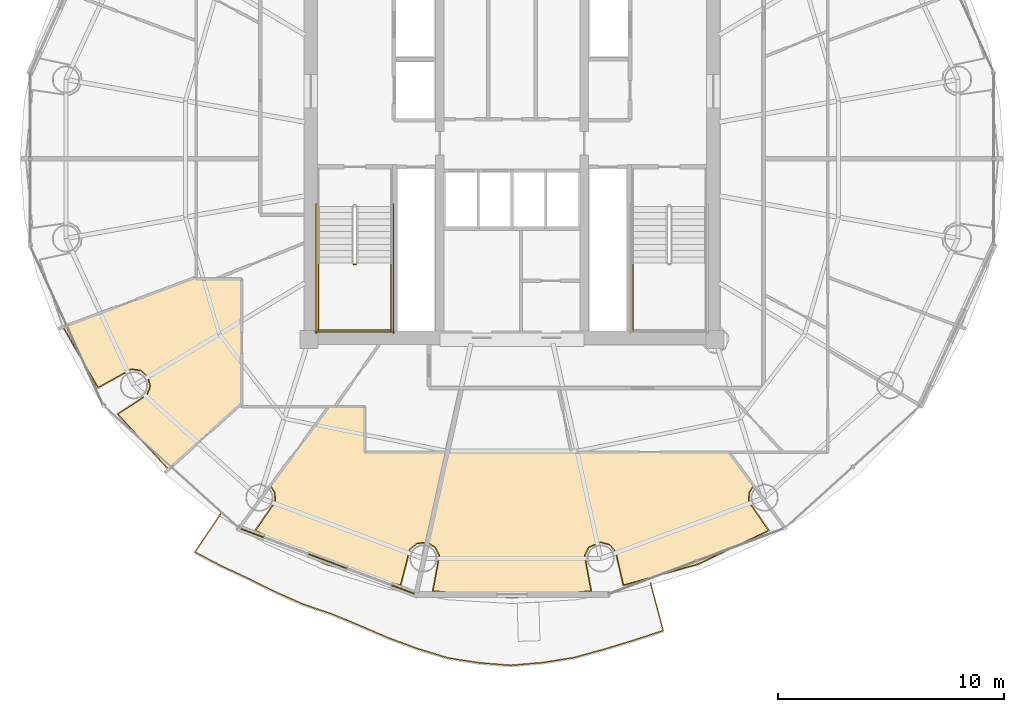
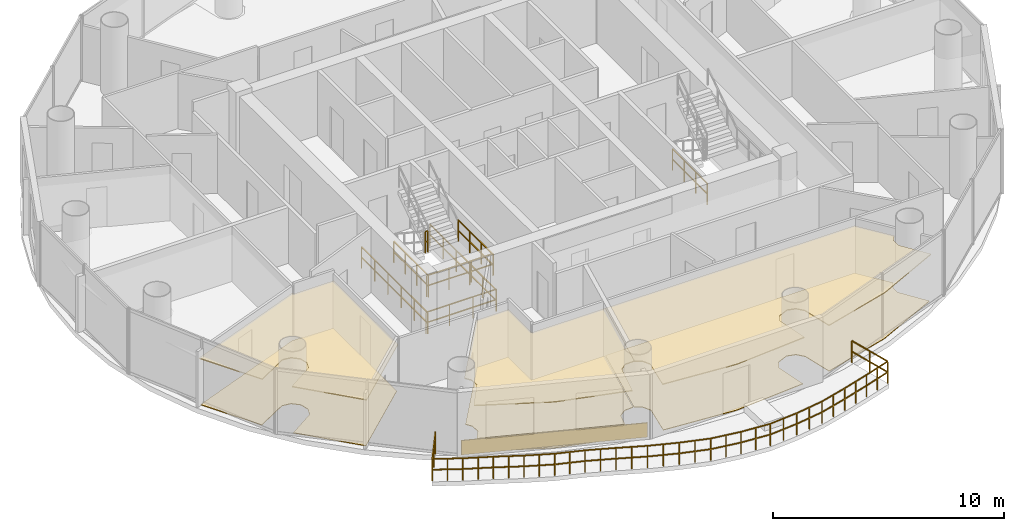
# One storey, part 24 of 26: 9 railings, 7 coverings.
"""IFC4 building model written with IfcOpenShell, lengths in metres."""

from ifc_helpers import new_model, si_unit, direction, frame, origin, origin_2d, place, context, subcontext, project, spatial, polyline, rectangle, outline, extrude, source, transform, mapped, material, layer, layer_set, type_object, element, save


model = new_model("IFC4")

# Units and contexts
model_context = context("Model", 3, precision=1e-05, world=origin(), true_north=direction((-0.2419218956, 0.970295726276)))
body_context = subcontext(model_context, "Body", "Model", "MODEL_VIEW")
ifc_project = project(units=[si_unit("LENGTHUNIT", "METRE"), si_unit("AREAUNIT", "SQUARE_METRE"), si_unit("VOLUMEUNIT", "CUBIC_METRE"), si_unit("PLANEANGLEUNIT", "RADIAN"), si_unit("MASSUNIT", "GRAM", prefix="KILO")], contexts=[model_context])

# Site, building, storey
site_placement = place(None, origin())
site = spatial("IfcSite", under=ifc_project, at=site_placement, CompositionType="ELEMENT")
building_placement = place(site_placement, origin())
building = spatial("IfcBuilding", under=site, at=building_placement, Name="Cobrevalo Terracotta Tower", CompositionType="ELEMENT")
storey_placement = place(building_placement, frame((0.0, 0.0, 220.800048828125)))
storey = spatial("IfcBuildingStorey", under=building, at=storey_placement, Name="L58", CompositionType="ELEMENT", Elevation=220.800048828125)

# Railing
ifc_material_1 = material(Name="Laminated structural glass and stainless steel", Category="steel")
railing_type_1 = type_object("IfcRailingType", Name="Balcony lobe structural glass & terracotta-cap balustrade 1180 mm", PredefinedType="BALUSTRADE", material=ifc_material_1)
railing_1_placement = place(storey_placement, frame((25.080078125, 11.063232421875, 0.0)))
element("IfcRailing", 1, at=railing_1_placement, inside=storey, type_object=railing_type_1, Name="L58 spiralling balcony lobe balustrade 2", PredefinedType="BALUSTRADE", context=body_context, shape_type="SweptSolid", body=[
    extrude(rectangle(XDim=0.048095703125, YDim=0.048095703125, at=origin_2d()), frame((0.0, 0.0, 1.15576171875), z_axis=(-0.557143606255, -0.830416161939, 0.0), x_axis=(0.830416161939, -0.557143606255, 0.0)), (0.0, 0.0, 1.0), 2.027099609375),
    extrude(rectangle(XDim=0.048095703125, YDim=0.048095703125, at=origin_2d()), frame((0.0, 0.0, 0.58984375), z_axis=(-0.557143606255, -0.830416161939, 0.0), x_axis=(0.830416161939, -0.557143606255, 0.0)), (0.0, 0.0, 1.0), 2.027099609375),
    extrude(rectangle(XDim=0.048095703125, YDim=0.048095703125, at=origin_2d()), frame((-1.12939453125, -1.683349609375, 1.15576171875), z_axis=(0.885271597073, -0.465074402021, 0.0), x_axis=(0.465074402021, 0.885271597073, 0.0)), (0.0, 0.0, 1.0), 1.332763671875),
    extrude(rectangle(XDim=0.048095703125, YDim=0.048095703125, at=origin_2d()), frame((-1.12939453125, -1.683349609375, 0.58984375), z_axis=(0.885271597073, -0.465074402021, 0.0), x_axis=(0.465074402021, 0.885271597073, 0.0)), (0.0, 0.0, 1.0), 1.332763671875),
    extrude(rectangle(XDim=0.048095703125, YDim=0.048095703125, at=origin_2d()), frame((0.050537109375, -2.30322265625, 1.15576171875), z_axis=(0.907511143291, -0.420028004785, 0.0), x_axis=(0.420028004785, 0.907511143291, 0.0)), (0.0, 0.0, 1.0), 1.32470703125),
    extrude(rectangle(XDim=0.048095703125, YDim=0.048095703125, at=origin_2d()), frame((0.050537109375, -2.30322265625, 0.58984375), z_axis=(0.907511143291, -0.420028004785, 0.0), x_axis=(0.420028004785, 0.907511143291, 0.0)), (0.0, 0.0, 1.0), 1.32470703125),
    extrude(rectangle(XDim=0.048095703125, YDim=0.048095703125, at=origin_2d()), frame((1.252685546875, -2.859619140625, 1.15576171875), z_axis=(0.895707541297, -0.444643678088, 0.0), x_axis=(0.444643678088, 0.895707541297, 0.0)), (0.0, 0.0, 1.0), 1.3310546875),
    extrude(rectangle(XDim=0.048095703125, YDim=0.048095703125, at=origin_2d()), frame((1.252685546875, -2.859619140625, 0.58984375), z_axis=(0.895707541297, -0.444643678088, 0.0), x_axis=(0.444643678088, 0.895707541297, 0.0)), (0.0, 0.0, 1.0), 1.3310546875),
    extrude(rectangle(XDim=0.048095703125, YDim=0.048095703125, at=origin_2d()), frame((2.44482421875, -3.451416015625, 1.15576171875), z_axis=(0.914143770919, -0.405390140592, 0.0), x_axis=(0.405390140592, 0.914143770919, 0.0)), (0.0, 0.0, 1.0), 1.33203125),
    extrude(rectangle(XDim=0.048095703125, YDim=0.048095703125, at=origin_2d()), frame((2.44482421875, -3.451416015625, 0.58984375), z_axis=(0.914143770919, -0.405390140592, 0.0), x_axis=(0.405390140592, 0.914143770919, 0.0)), (0.0, 0.0, 1.0), 1.33203125),
    extrude(rectangle(XDim=0.048095703125, YDim=0.048095703125, at=origin_2d()), frame((3.66259765625, -3.991455078125, 1.15576171875), z_axis=(0.946619096871, -0.322354285591, 0.0), x_axis=(0.322354285591, 0.946619096871, 0.0)), (0.0, 0.0, 1.0), 1.33740234375),
    extrude(rectangle(XDim=0.048095703125, YDim=0.048095703125, at=origin_2d()), frame((3.66259765625, -3.991455078125, 0.58984375), z_axis=(0.946619096871, -0.322354285591, 0.0), x_axis=(0.322354285591, 0.946619096871, 0.0)), (0.0, 0.0, 1.0), 1.33740234375),
    extrude(rectangle(XDim=0.048095703125, YDim=0.048095703125, at=origin_2d()), frame((4.9287109375, -4.422607421875, 1.15576171875), z_axis=(0.923950812475, -0.382511301959, 0.0), x_axis=(0.382511301959, 0.923950812475, 0.0)), (0.0, 0.0, 1.0), 1.351806640625),
    extrude(rectangle(XDim=0.048095703125, YDim=0.048095703125, at=origin_2d()), frame((4.9287109375, -4.422607421875, 0.58984375), z_axis=(0.923950812475, -0.382511301959, 0.0), x_axis=(0.382511301959, 0.923950812475, 0.0)), (0.0, 0.0, 1.0), 1.351806640625),
    extrude(rectangle(XDim=0.048095703125, YDim=0.048095703125, at=origin_2d()), frame((6.177734375, -4.939697265625, 1.15576171875), z_axis=(0.918223877995, -0.396061750083, 0.0), x_axis=(0.396061750083, 0.918223877995, 0.0)), (0.0, 0.0, 1.0), 1.37451171875),
    extrude(rectangle(XDim=0.048095703125, YDim=0.048095703125, at=origin_2d()), frame((6.177734375, -4.939697265625, 0.58984375), z_axis=(0.918223877995, -0.396061750083, 0.0), x_axis=(0.396061750083, 0.918223877995, 0.0)), (0.0, 0.0, 1.0), 1.37451171875),
    extrude(rectangle(XDim=0.048095703125, YDim=0.048095703125, at=origin_2d()), frame((7.43994140625, -5.484130859375, 1.15576171875), z_axis=(0.938770483649, -0.344543145381, 0.0), x_axis=(0.344543145381, 0.938770483649, 0.0)), (0.0, 0.0, 1.0), 1.392333984375),
    extrude(rectangle(XDim=0.048095703125, YDim=0.048095703125, at=origin_2d()), frame((7.43994140625, -5.484130859375, 0.58984375), z_axis=(0.938770483649, -0.344543145381, 0.0), x_axis=(0.344543145381, 0.938770483649, 0.0)), (0.0, 0.0, 1.0), 1.392333984375),
    extrude(rectangle(XDim=0.048095703125, YDim=0.048095703125, at=origin_2d()), frame((8.7470703125, -5.9638671875, 1.15576171875), z_axis=(0.956517685268, -0.291674335122, 0.0), x_axis=(0.291674335122, 0.956517685268, 0.0)), (0.0, 0.0, 1.0), 1.402099609375),
    extrude(rectangle(XDim=0.048095703125, YDim=0.048095703125, at=origin_2d()), frame((8.7470703125, -5.9638671875, 0.58984375), z_axis=(0.956517685268, -0.291674335122, 0.0), x_axis=(0.291674335122, 0.956517685268, 0.0)), (0.0, 0.0, 1.0), 1.402099609375),
    extrude(rectangle(XDim=0.048095703125, YDim=0.048095703125, at=origin_2d()), frame((10.088134765625, -6.372802734375, 1.15576171875), z_axis=(0.987784155412, -0.155828310383, 0.0), x_axis=(0.155828310383, 0.987784155412, 0.0)), (0.0, 0.0, 1.0), 1.400634765625),
    extrude(rectangle(XDim=0.048095703125, YDim=0.048095703125, at=origin_2d()), frame((10.088134765625, -6.372802734375, 0.58984375), z_axis=(0.987784155412, -0.155828310383, 0.0), x_axis=(0.155828310383, 0.987784155412, 0.0)), (0.0, 0.0, 1.0), 1.400634765625),
    extrude(rectangle(XDim=0.048095703125, YDim=0.048095703125, at=origin_2d()), frame((11.4716796875, -6.591064453125, 1.15576171875), z_axis=(0.996952202907, -0.078014775005, 0.0), x_axis=(0.078014775005, 0.996952202907, 0.0)), (0.0, 0.0, 1.0), 1.402099609375),
    extrude(rectangle(XDim=0.048095703125, YDim=0.048095703125, at=origin_2d()), frame((11.4716796875, -6.591064453125, 0.58984375), z_axis=(0.996952202907, -0.078014775005, 0.0), x_axis=(0.078014775005, 0.996952202907, 0.0)), (0.0, 0.0, 1.0), 1.402099609375),
    extrude(rectangle(XDim=0.048095703125, YDim=0.048095703125, at=origin_2d()), frame((12.869384765625, -6.700439453125, 1.15576171875), z_axis=(0.996234052308, 0.086704746251, 0.0), x_axis=(-0.086704746251, 0.996234052308, 0.0)), (0.0, 0.0, 1.0), 1.40234375),
    extrude(rectangle(XDim=0.048095703125, YDim=0.048095703125, at=origin_2d()), frame((12.869384765625, -6.700439453125, 0.58984375), z_axis=(0.996234052308, 0.086704746251, 0.0), x_axis=(-0.086704746251, 0.996234052308, 0.0)), (0.0, 0.0, 1.0), 1.40234375),
    extrude(rectangle(XDim=0.048095703125, YDim=0.048095703125, at=origin_2d()), frame((14.266357421875, -6.578857421875, 1.15576171875), z_axis=(0.987609803782, 0.156929523906, 0.0), x_axis=(-0.156929523906, 0.987609803782, 0.0)), (0.0, 0.0, 1.0), 1.400146484375),
    extrude(rectangle(XDim=0.048095703125, YDim=0.048095703125, at=origin_2d()), frame((14.266357421875, -6.578857421875, 0.58984375), z_axis=(0.987609803782, 0.156929523906, 0.0), x_axis=(-0.156929523906, 0.987609803782, 0.0)), (0.0, 0.0, 1.0), 1.400146484375),
    extrude(rectangle(XDim=0.048095703125, YDim=0.048095703125, at=origin_2d()), frame((15.649169921875, -6.359130859375, 1.15576171875), z_axis=(0.964391739965, 0.26447792325, 0.0), x_axis=(-0.26447792325, 0.964391739965, 0.0)), (0.0, 0.0, 1.0), 1.396728515625),
    extrude(rectangle(XDim=0.048095703125, YDim=0.048095703125, at=origin_2d()), frame((15.649169921875, -6.359130859375, 0.58984375), z_axis=(0.964391739965, 0.26447792325, 0.0), x_axis=(-0.26447792325, 0.964391739965, 0.0)), (0.0, 0.0, 1.0), 1.396728515625),
    extrude(rectangle(XDim=0.048095703125, YDim=0.048095703125, at=origin_2d()), frame((16.99609375, -5.98974609375, 1.15576171875), z_axis=(0.956840304477, 0.290614231806, 0.0), x_axis=(-0.290614231806, 0.956840304477, 0.0)), (0.0, 0.0, 1.0), 1.384521484375),
    extrude(rectangle(XDim=0.048095703125, YDim=0.048095703125, at=origin_2d()), frame((16.99609375, -5.98974609375, 0.58984375), z_axis=(0.956840304477, 0.290614231806, 0.0), x_axis=(-0.290614231806, 0.956840304477, 0.0)), (0.0, 0.0, 1.0), 1.384521484375),
    extrude(rectangle(XDim=0.048095703125, YDim=0.048095703125, at=origin_2d()), frame((18.32080078125, -5.58740234375, 1.15576171875), z_axis=(0.950610830378, 0.3103853237, 0.0), x_axis=(-0.3103853237, 0.950610830378, 0.0)), (0.0, 0.0, 1.0), 1.367919921875),
    extrude(rectangle(XDim=0.048095703125, YDim=0.048095703125, at=origin_2d()), frame((18.32080078125, -5.58740234375, 0.58984375), z_axis=(0.950610830378, 0.3103853237, 0.0), x_axis=(-0.3103853237, 0.950610830378, 0.0)), (0.0, 0.0, 1.0), 1.367919921875),
    extrude(rectangle(XDim=0.048095703125, YDim=0.048095703125, at=origin_2d()), frame((19.62109375, -5.162841796875, 1.15576171875), z_axis=(-0.257898494353, 0.966172017091, 0.0), x_axis=(-0.966172017091, -0.257898494353, 0.0)), (0.0, 0.0, 1.0), 2.190673828125),
    extrude(rectangle(XDim=0.048095703125, YDim=0.048095703125, at=origin_2d()), frame((19.62109375, -5.162841796875, 0.58984375), z_axis=(-0.257898494353, 0.966172017091, 0.0), x_axis=(-0.966172017091, -0.257898494353, 0.0)), (0.0, 0.0, 1.0), 2.190673828125),
    extrude(rectangle(XDim=0.0419921875, YDim=0.0419921875, at=origin_2d()), origin(), (0.0, 0.0, 1.0), 1.1318359375),
    extrude(rectangle(XDim=0.0419921875, YDim=0.0419921875, at=origin_2d()), frame((-0.564697265625, -0.841796875, 0.0)), (0.0, 0.0, 1.0), 1.1318359375),
    extrude(rectangle(XDim=0.0419921875, YDim=0.0419921875, at=origin_2d()), frame((-1.12939453125, -1.683349609375, 0.0)), (0.0, 0.0, 1.0), 1.1318359375),
    extrude(rectangle(XDim=0.0419921875, YDim=0.0419921875, at=origin_2d()), frame((-0.53955078125, -1.9931640625, 0.0)), (0.0, 0.0, 1.0), 1.1318359375),
    extrude(rectangle(XDim=0.0419921875, YDim=0.0419921875, at=origin_2d()), frame((0.050537109375, -2.30322265625, 0.0)), (0.0, 0.0, 1.0), 1.1318359375),
    extrude(rectangle(XDim=0.0419921875, YDim=0.0419921875, at=origin_2d()), frame((0.651611328125, -2.58154296875, 0.0)), (0.0, 0.0, 1.0), 1.1318359375),
    extrude(rectangle(XDim=0.0419921875, YDim=0.0419921875, at=origin_2d()), frame((1.252685546875, -2.859619140625, 0.0)), (0.0, 0.0, 1.0), 1.1318359375),
    extrude(rectangle(XDim=0.0419921875, YDim=0.0419921875, at=origin_2d()), frame((1.8486328125, -3.155517578125, 0.0)), (0.0, 0.0, 1.0), 1.1318359375),
    extrude(rectangle(XDim=0.0419921875, YDim=0.0419921875, at=origin_2d()), frame((2.44482421875, -3.451416015625, 0.0)), (0.0, 0.0, 1.0), 1.1318359375),
    extrude(rectangle(XDim=0.0419921875, YDim=0.0419921875, at=origin_2d()), frame((3.0537109375, -3.721435546875, 0.0)), (0.0, 0.0, 1.0), 1.1318359375),
    extrude(rectangle(XDim=0.0419921875, YDim=0.0419921875, at=origin_2d()), frame((3.66259765625, -3.991455078125, 0.0)), (0.0, 0.0, 1.0), 1.1318359375),
    extrude(rectangle(XDim=0.0419921875, YDim=0.0419921875, at=origin_2d()), frame((4.295654296875, -4.20703125, 0.0)), (0.0, 0.0, 1.0), 1.1318359375),
    extrude(rectangle(XDim=0.0419921875, YDim=0.0419921875, at=origin_2d()), frame((4.9287109375, -4.422607421875, 0.0)), (0.0, 0.0, 1.0), 1.1318359375),
    extrude(rectangle(XDim=0.0419921875, YDim=0.0419921875, at=origin_2d()), frame((5.55322265625, -4.68115234375, 0.0)), (0.0, 0.0, 1.0), 1.1318359375),
    extrude(rectangle(XDim=0.0419921875, YDim=0.0419921875, at=origin_2d()), frame((6.177734375, -4.939697265625, 0.0)), (0.0, 0.0, 1.0), 1.1318359375),
    extrude(rectangle(XDim=0.0419921875, YDim=0.0419921875, at=origin_2d()), frame((6.808837890625, -5.2119140625, 0.0)), (0.0, 0.0, 1.0), 1.1318359375),
    extrude(rectangle(XDim=0.0419921875, YDim=0.0419921875, at=origin_2d()), frame((7.43994140625, -5.484130859375, 0.0)), (0.0, 0.0, 1.0), 1.1318359375),
    extrude(rectangle(XDim=0.0419921875, YDim=0.0419921875, at=origin_2d()), frame((8.093505859375, -5.72412109375, 0.0)), (0.0, 0.0, 1.0), 1.1318359375),
    extrude(rectangle(XDim=0.0419921875, YDim=0.0419921875, at=origin_2d()), frame((8.7470703125, -5.9638671875, 0.0)), (0.0, 0.0, 1.0), 1.1318359375),
    extrude(rectangle(XDim=0.0419921875, YDim=0.0419921875, at=origin_2d()), frame((9.41748046875, -6.16845703125, 0.0)), (0.0, 0.0, 1.0), 1.1318359375),
    extrude(rectangle(XDim=0.0419921875, YDim=0.0419921875, at=origin_2d()), frame((10.088134765625, -6.372802734375, 0.0)), (0.0, 0.0, 1.0), 1.1318359375),
    extrude(rectangle(XDim=0.0419921875, YDim=0.0419921875, at=origin_2d()), frame((10.77978515625, -6.48193359375, 0.0)), (0.0, 0.0, 1.0), 1.1318359375),
    extrude(rectangle(XDim=0.0419921875, YDim=0.0419921875, at=origin_2d()), frame((11.4716796875, -6.591064453125, 0.0)), (0.0, 0.0, 1.0), 1.1318359375),
    extrude(rectangle(XDim=0.0419921875, YDim=0.0419921875, at=origin_2d()), frame((12.17041015625, -6.645751953125, 0.0)), (0.0, 0.0, 1.0), 1.1318359375),
    extrude(rectangle(XDim=0.0419921875, YDim=0.0419921875, at=origin_2d()), frame((12.869384765625, -6.700439453125, 0.0)), (0.0, 0.0, 1.0), 1.1318359375),
    extrude(rectangle(XDim=0.0419921875, YDim=0.0419921875, at=origin_2d()), frame((13.56787109375, -6.6396484375, 0.0)), (0.0, 0.0, 1.0), 1.1318359375),
    extrude(rectangle(XDim=0.0419921875, YDim=0.0419921875, at=origin_2d()), frame((14.266357421875, -6.578857421875, 0.0)), (0.0, 0.0, 1.0), 1.1318359375),
    extrude(rectangle(XDim=0.0419921875, YDim=0.0419921875, at=origin_2d()), frame((14.957763671875, -6.468994140625, 0.0)), (0.0, 0.0, 1.0), 1.1318359375),
    extrude(rectangle(XDim=0.0419921875, YDim=0.0419921875, at=origin_2d()), frame((15.649169921875, -6.359130859375, 0.0)), (0.0, 0.0, 1.0), 1.1318359375),
    extrude(rectangle(XDim=0.0419921875, YDim=0.0419921875, at=origin_2d()), frame((16.32275390625, -6.17431640625, 0.0)), (0.0, 0.0, 1.0), 1.1318359375),
    extrude(rectangle(XDim=0.0419921875, YDim=0.0419921875, at=origin_2d()), frame((16.99609375, -5.98974609375, 0.0)), (0.0, 0.0, 1.0), 1.1318359375),
    extrude(rectangle(XDim=0.0419921875, YDim=0.0419921875, at=origin_2d()), frame((17.658447265625, -5.78857421875, 0.0)), (0.0, 0.0, 1.0), 1.1318359375),
    extrude(rectangle(XDim=0.0419921875, YDim=0.0419921875, at=origin_2d()), frame((18.32080078125, -5.58740234375, 0.0)), (0.0, 0.0, 1.0), 1.1318359375),
    extrude(rectangle(XDim=0.0419921875, YDim=0.0419921875, at=origin_2d()), frame((18.970947265625, -5.375, 0.0)), (0.0, 0.0, 1.0), 1.1318359375),
    extrude(rectangle(XDim=0.0419921875, YDim=0.0419921875, at=origin_2d()), frame((19.62109375, -5.162841796875, 0.0)), (0.0, 0.0, 1.0), 1.1318359375),
    extrude(rectangle(XDim=0.0419921875, YDim=0.0419921875, at=origin_2d()), frame((19.338623046875, -4.1044921875, 0.0)), (0.0, 0.0, 1.0), 1.1318359375),
    extrude(rectangle(XDim=0.0419921875, YDim=0.0419921875, at=origin_2d()), frame((19.05615234375, -3.04638671875, 0.0)), (0.0, 0.0, 1.0), 1.1318359375),
])

# Coverings
ifc_material_2 = material(Name="Engineered Brazilian hardwood flooring", Category="wood")
ifc_layer_1 = layer(ifc_material_2, 0.028076171875)
ifc_layer_set_1 = layer_set([ifc_layer_1], Name="Engineered Brazilian hardwood flooring")
covering_type_1 = type_object("IfcCoveringType", Name="Engineered Hardwood Suite Flooring 28", PredefinedType="FLOORING", material=ifc_layer_set_1)
covering_1_placement = place(storey_placement, origin())
element("IfcCovering", 2, at=covering_1_placement, inside=storey, type_object=covering_type_1, Name="Flat L58C Master Bedroom floor finish", PredefinedType="FLOORING", context=body_context, shape_type="SweptSolid", body=[
    extrude(outline(polyline([(22.779052734375, 13.072265625), (20.546875, 15.4912109375), (21.840087890625, 16.330810546875), (21.985107421875, 16.735107421875), (21.880859375, 17.152099609375), (21.562744140625, 17.44091796875), (21.1376953125, 17.504150390625), (19.662109375, 16.6865234375), (18.132568359375, 19.342041015625), (23.985107421875, 21.53271484375), (25.9951171875, 21.4599609375), (25.9951171875, 15.978515625), (22.779052734375, 13.072265625)])), origin(), (0.0, 0.0, 1.0), 0.030029296875),
])
covering_2_placement = place(storey_placement, origin())
element("IfcCovering", 3, at=covering_2_placement, inside=storey, type_object=covering_type_1, Name="Flat L58C Principal Guest Bedroom floor finish", PredefinedType="FLOORING", context=body_context, shape_type="SweptSolid", body=[
    extrude(outline(polyline([(26.6455078125, 10.34033203125), (27.522705078125, 11.610107421875), (27.502685546875, 12.039306640625), (27.318603515625, 12.320556640625), (29.8876953125, 15.794921875), (31.4599609375, 15.794921875), (31.4599609375, 13.784912109375), (35.11474609375, 13.784912109375), (34.240234375, 9.812255859375), (33.801025390625, 9.78662109375), (33.462890625, 9.521484375), (33.0517578125, 7.93017578125), (29.763916015625, 8.858642578125), (26.6455078125, 10.34033203125)])), origin(), (0.0, 0.0, 1.0), 0.030029296875),
])
covering_3_placement = place(storey_placement, origin())
element("IfcCovering", 4, at=covering_3_placement, inside=storey, type_object=covering_type_1, Name="Flat L58D Living and Dining Room floor finish", PredefinedType="FLOORING", context=body_context, shape_type="SweptSolid", body=[
    extrude(outline(polyline([(46.236083984375, 8.858642578125), (42.9482421875, 7.93017578125), (42.6083984375, 9.39501953125), (42.32861328125, 9.72119140625), (41.91455078125, 9.836669921875), (41.396240234375, 9.6083984375), (41.2021484375, 9.22509765625), (41.490234375, 7.66845703125), (38.0, 7.380126953125), (34.509765625, 7.66845703125), (34.7978515625, 9.22509765625), (34.603759765625, 9.6083984375), (34.279052734375, 9.802978515625), (35.15576171875, 13.784912109375), (47.598388671875, 13.784912109375), (48.681396484375, 12.320556640625), (48.497314453125, 12.039306640625), (48.477294921875, 11.610107421875), (49.3544921875, 10.34033203125), (46.236083984375, 8.858642578125)])), origin(), (0.0, 0.0, 1.0), 0.030029296875),
])
ifc_material_3 = material(Name="Acoustic perforated gypsum ceiling", Category="gypsum")
ifc_layer_2 = layer(ifc_material_3, 0.050048828125)
ifc_layer_set_2 = layer_set([ifc_layer_2], Name="Acoustic perforated gypsum ceiling")
covering_type_2 = type_object("IfcCoveringType", Name="Perforated Acoustic Gypsum Ceiling 50", PredefinedType="CEILING", material=ifc_layer_set_2)
covering_4_placement = place(storey_placement, frame((0.0, 0.0, 2.445068359375)))
element("IfcCovering", 5, at=covering_4_placement, inside=storey, type_object=covering_type_2, Name="Flat L58C Master Bedroom acoustic ceiling", PredefinedType="CEILING", context=body_context, shape_type="SweptSolid", body=[
    extrude(outline(polyline([(22.77685546875, 13.009765625), (20.481201171875, 15.50439453125), (21.8037109375, 16.357666015625), (21.93994140625, 16.737548828125), (21.842041015625, 17.12890625), (21.54345703125, 17.39990234375), (21.144287109375, 17.45947265625), (19.650146484375, 16.626953125), (18.068115234375, 19.365966796875), (24.030029296875, 21.59765625), (24.030029296875, 21.5048828125), (26.0400390625, 21.5048828125), (26.0400390625, 15.95849609375), (22.77685546875, 13.009765625)])), origin(), (0.0, 0.0, 1.0), 0.0498046875),
])
covering_5_placement = place(storey_placement, frame((0.0, 0.0, 2.445068359375)))
element("IfcCovering", 6, at=covering_5_placement, inside=storey, type_object=covering_type_2, Name="Flat L58C Principal Guest Bedroom acoustic ceiling", PredefinedType="CEILING", context=body_context, shape_type="SweptSolid", body=[
    extrude(outline(polyline([(26.579833984375, 10.327392578125), (27.478759765625, 11.621337890625), (27.460205078125, 12.024169921875), (27.25830078125, 12.314697265625), (29.864990234375, 15.840087890625), (31.5048828125, 15.840087890625), (31.5048828125, 13.830078125), (35.170654296875, 13.830078125), (34.275146484375, 9.76123046875), (33.8173828125, 9.74462890625), (33.499755859375, 9.49560546875), (33.08642578125, 7.878173828125), (29.748291015625, 8.81640625), (26.579833984375, 10.327392578125)])), origin(), (0.0, 0.0, 1.0), 0.0498046875),
])
covering_6_placement = place(storey_placement, frame((0.0, 0.0, 2.445068359375)))
element("IfcCovering", 7, at=covering_6_placement, inside=storey, type_object=covering_type_2, Name="Flat L58D Living and Dining Room acoustic ceiling", PredefinedType="CEILING", context=body_context, shape_type="SweptSolid", body=[
    extrude(outline(polyline([(46.251708984375, 8.81640625), (42.91357421875, 7.878173828125), (42.56689453125, 9.376953125), (42.30419921875, 9.68310546875), (41.915771484375, 9.79150390625), (41.428955078125, 9.5771484375), (41.246826171875, 9.21728515625), (41.544189453125, 7.632568359375), (38.0, 7.3349609375), (34.455810546875, 7.632568359375), (34.753173828125, 9.21728515625), (34.571044921875, 9.5771484375), (34.2265625, 9.77294921875), (35.119384765625, 13.830078125), (47.62109375, 13.830078125), (48.74169921875, 12.314697265625), (48.539794921875, 12.024169921875), (48.521240234375, 11.621337890625), (49.420166015625, 10.327392578125), (46.251708984375, 8.81640625)])), origin(), (0.0, 0.0, 1.0), 0.0498046875),
])

# Railings
ifc_material_4 = material(Name="Painted galvanized steel", Category="steel")
railing_type_2 = type_object("IfcRailingType", Name="Stair Well Guard Balustrade 1150", PredefinedType="GUARDRAIL", material=ifc_material_4)
railing_2_placement = place(storey_placement, frame((30.97509765625, 22.1298828125, 1.849853515625)))
element("IfcRailing", 8, at=railing_2_placement, inside=storey, type_object=railing_type_2, Name="L58 ST-1 stair guard 2", PredefinedType="GUARDRAIL", context=body_context, shape_type="SweptSolid", body=[
    extrude(rectangle(XDim=0.048095703125, YDim=0.048095703125, at=origin_2d()), frame((0.0, 0.0, 1.1259765625), z_axis=(1.0, 0.0, 0.0), x_axis=(0.0, 1.0, 0.0)), (0.0, 0.0, 1.0), 0.119873046875),
    extrude(rectangle(XDim=0.048095703125, YDim=0.048095703125, at=origin_2d()), frame((0.0, 0.0, 0.574951171875), z_axis=(1.0, 0.0, 0.0), x_axis=(0.0, 1.0, 0.0)), (0.0, 0.0, 1.0), 0.119873046875),
    extrude(rectangle(XDim=0.0419921875, YDim=0.0419921875, at=origin_2d()), origin(), (0.0, 0.0, 1.0), 1.101806640625),
    extrude(rectangle(XDim=0.0419921875, YDim=0.0419921875, at=origin_2d()), frame((0.119873046875, 0.0, 0.0)), (0.0, 0.0, 1.0), 1.101806640625),
])
for number, where, name in (
    (9, (29.425048828125, 22.179931640625, 1.849853515625), "L58 ST-1 stair guard 3"),
    (10, (32.64501953125, 22.179931640625, 1.849853515625), "L58 ST-1 stair guard 4"),
):
    element("IfcRailing", number, at=place(storey_placement, frame(where)), inside=storey, type_object=railing_type_2, Name=name, PredefinedType="GUARDRAIL", context=body_context, shape_type="SweptSolid", body=[
        extrude(rectangle(XDim=0.048095703125, YDim=0.048095703125, at=origin_2d()), frame((0.0, 0.0, 1.1259765625), z_axis=(0.0, -1.0, 0.0), x_axis=(1.0, 0.0, 0.0)), (0.0, 0.0, 1.0), 3.0048828125),
        extrude(rectangle(XDim=0.048095703125, YDim=0.048095703125, at=origin_2d()), frame((0.0, 0.0, 0.574951171875), z_axis=(0.0, -1.0, 0.0), x_axis=(1.0, 0.0, 0.0)), (0.0, 0.0, 1.0), 3.0048828125),
        extrude(rectangle(XDim=0.0419921875, YDim=0.0419921875, at=origin_2d()), origin(), (0.0, 0.0, 1.0), 1.101806640625),
        extrude(rectangle(XDim=0.0419921875, YDim=0.0419921875, at=origin_2d()), frame((0.0, -1.001708984375, 0.0)), (0.0, 0.0, 1.0), 1.101806640625),
        extrude(rectangle(XDim=0.0419921875, YDim=0.0419921875, at=origin_2d()), frame((0.0, -2.003173828125, 0.0)), (0.0, 0.0, 1.0), 1.101806640625),
        extrude(rectangle(XDim=0.0419921875, YDim=0.0419921875, at=origin_2d()), frame((0.0, -3.0048828125, 0.0)), (0.0, 0.0, 1.0), 1.101806640625),
    ])
railing_3_placement = place(storey_placement, frame((29.375, 19.22509765625, 1.849853515625)))
element("IfcRailing", 11, at=railing_3_placement, inside=storey, type_object=railing_type_2, Name="L58 ST-1 stair guard 5", PredefinedType="GUARDRAIL", context=body_context, shape_type="SweptSolid", body=[
    extrude(rectangle(XDim=0.048095703125, YDim=0.048095703125, at=origin_2d()), frame((0.0, 0.0, 1.1259765625), z_axis=(1.0, 0.0, 0.0), x_axis=(0.0, 1.0, 0.0)), (0.0, 0.0, 1.0), 3.320068359375),
    extrude(rectangle(XDim=0.048095703125, YDim=0.048095703125, at=origin_2d()), frame((0.0, 0.0, 0.574951171875), z_axis=(1.0, 0.0, 0.0), x_axis=(0.0, 1.0, 0.0)), (0.0, 0.0, 1.0), 3.320068359375),
    extrude(rectangle(XDim=0.0419921875, YDim=0.0419921875, at=origin_2d()), origin(), (0.0, 0.0, 1.0), 1.101806640625),
    extrude(rectangle(XDim=0.0419921875, YDim=0.0419921875, at=origin_2d()), frame((1.106689453125, 0.0, 0.0)), (0.0, 0.0, 1.0), 1.101806640625),
    extrude(rectangle(XDim=0.0419921875, YDim=0.0419921875, at=origin_2d()), frame((2.21337890625, 0.0, 0.0)), (0.0, 0.0, 1.0), 1.101806640625),
    extrude(rectangle(XDim=0.0419921875, YDim=0.0419921875, at=origin_2d()), frame((3.320068359375, 0.0, 0.0)), (0.0, 0.0, 1.0), 1.101806640625),
])
for number, where, name in (
    (12, (29.324951171875, 24.800048828125, 0.0), "L58 ST-1 stair guard 10"),
    (13, (32.7451171875, 24.800048828125, 0.0), "L58 ST-1 stair guard 11"),
):
    element("IfcRailing", number, at=place(storey_placement, frame(where)), inside=storey, type_object=railing_type_2, Name=name, PredefinedType="GUARDRAIL", context=body_context, shape_type="SweptSolid", body=[
        extrude(rectangle(XDim=0.048095703125, YDim=0.048095703125, at=origin_2d()), frame((0.0, 0.0, 1.1259765625), z_axis=(0.0, -1.0, 0.0), x_axis=(1.0, 0.0, 0.0)), (0.0, 0.0, 1.0), 5.72509765625),
        extrude(rectangle(XDim=0.048095703125, YDim=0.048095703125, at=origin_2d()), frame((0.0, 0.0, 0.574951171875), z_axis=(0.0, -1.0, 0.0), x_axis=(1.0, 0.0, 0.0)), (0.0, 0.0, 1.0), 5.72509765625),
        extrude(rectangle(XDim=0.0419921875, YDim=0.0419921875, at=origin_2d()), origin(), (0.0, 0.0, 1.0), 1.101806640625),
        extrude(rectangle(XDim=0.0419921875, YDim=0.0419921875, at=origin_2d()), frame((0.0, -1.14501953125, 0.0)), (0.0, 0.0, 1.0), 1.101806640625),
        extrude(rectangle(XDim=0.0419921875, YDim=0.0419921875, at=origin_2d()), frame((0.0, -2.2900390625, 0.0)), (0.0, 0.0, 1.0), 1.101806640625),
        extrude(rectangle(XDim=0.0419921875, YDim=0.0419921875, at=origin_2d()), frame((0.0, -3.43505859375, 0.0)), (0.0, 0.0, 1.0), 1.101806640625),
        extrude(rectangle(XDim=0.0419921875, YDim=0.0419921875, at=origin_2d()), frame((0.0, -4.580078125, 0.0)), (0.0, 0.0, 1.0), 1.101806640625),
        extrude(rectangle(XDim=0.0419921875, YDim=0.0419921875, at=origin_2d()), frame((0.0, -5.72509765625, 0.0)), (0.0, 0.0, 1.0), 1.101806640625),
    ])
railing_4_placement = place(storey_placement, frame((29.27490234375, 19.125, 0.0)))
element("IfcRailing", 14, at=railing_4_placement, inside=storey, type_object=railing_type_2, Name="L58 ST-1 stair guard 12", PredefinedType="GUARDRAIL", context=body_context, shape_type="SweptSolid", body=[
    extrude(rectangle(XDim=0.048095703125, YDim=0.048095703125, at=origin_2d()), frame((0.0, 0.0, 1.1259765625), z_axis=(1.0, 0.0, 0.0), x_axis=(0.0, 1.0, 0.0)), (0.0, 0.0, 1.0), 3.52001953125),
    extrude(rectangle(XDim=0.048095703125, YDim=0.048095703125, at=origin_2d()), frame((0.0, 0.0, 0.574951171875), z_axis=(1.0, 0.0, 0.0), x_axis=(0.0, 1.0, 0.0)), (0.0, 0.0, 1.0), 3.52001953125),
    extrude(rectangle(XDim=0.0419921875, YDim=0.0419921875, at=origin_2d()), origin(), (0.0, 0.0, 1.0), 1.101806640625),
    extrude(rectangle(XDim=0.0419921875, YDim=0.0419921875, at=origin_2d()), frame((1.17333984375, 0.0, 0.0)), (0.0, 0.0, 1.0), 1.101806640625),
    extrude(rectangle(XDim=0.0419921875, YDim=0.0419921875, at=origin_2d()), frame((2.3466796875, 0.0, 0.0)), (0.0, 0.0, 1.0), 1.101806640625),
    extrude(rectangle(XDim=0.0419921875, YDim=0.0419921875, at=origin_2d()), frame((3.52001953125, 0.0, 0.0)), (0.0, 0.0, 1.0), 1.101806640625),
])
railing_5_placement = place(storey_placement, frame((43.35498046875, 22.179931640625, 1.849853515625)))
element("IfcRailing", 15, at=railing_5_placement, inside=storey, type_object=railing_type_2, Name="L58 ST-2 stair guard 3", PredefinedType="GUARDRAIL", context=body_context, shape_type="SweptSolid", body=[
    extrude(rectangle(XDim=0.048095703125, YDim=0.048095703125, at=origin_2d()), frame((0.0, 0.0, 1.1259765625), z_axis=(0.0, -1.0, 0.0), x_axis=(1.0, 0.0, 0.0)), (0.0, 0.0, 1.0), 3.0048828125),
    extrude(rectangle(XDim=0.048095703125, YDim=0.048095703125, at=origin_2d()), frame((0.0, 0.0, 0.574951171875), z_axis=(0.0, -1.0, 0.0), x_axis=(1.0, 0.0, 0.0)), (0.0, 0.0, 1.0), 3.0048828125),
    extrude(rectangle(XDim=0.0419921875, YDim=0.0419921875, at=origin_2d()), origin(), (0.0, 0.0, 1.0), 1.101806640625),
    extrude(rectangle(XDim=0.0419921875, YDim=0.0419921875, at=origin_2d()), frame((0.0, -1.001708984375, 0.0)), (0.0, 0.0, 1.0), 1.101806640625),
    extrude(rectangle(XDim=0.0419921875, YDim=0.0419921875, at=origin_2d()), frame((0.0, -2.003173828125, 0.0)), (0.0, 0.0, 1.0), 1.101806640625),
    extrude(rectangle(XDim=0.0419921875, YDim=0.0419921875, at=origin_2d()), frame((0.0, -3.0048828125, 0.0)), (0.0, 0.0, 1.0), 1.101806640625),
])

# Covering
ifc_material_5 = material(Name="Glazed terracotta facade cladding tile", Category="masonry")
ifc_layer_3 = layer(ifc_material_5, 0.044921875)
ifc_layer_set_3 = layer_set([ifc_layer_3], Name="Glazed terracotta facade cladding tile")
covering_type_3 = type_object("IfcCoveringType", Name="Architectural terracotta rainscreen spandrel cladding 45 mm", PredefinedType="CLADDING", material=ifc_layer_set_3)
shared_shape = source(origin(), body_context, "Body", "SweptSolid", [
    extrude(rectangle(XDim=8.17919921875, YDim=0.044921875, at=origin_2d()), origin(), (0.0, 0.0, 1.0), 0.760009765625),
])
covering_7_placement = place(storey_placement, frame((29.8291015625, 8.9765625, 0.0400390625), z_axis=(0.0, 0.0, 1.0), x_axis=(0.936557839879, -0.350513070458, 0.0)))
element("IfcCovering", 16, at=covering_7_placement, inside=storey, type_object=covering_type_3, Name="L58 terracotta spandrel cladding S11", PredefinedType="CLADDING", context=body_context, shape_type="MappedRepresentation", body=[
    mapped(shared_shape, transform((0.0, 0.0, 0.0), scale=1.0)),
])

save(model, "model.ifc")
